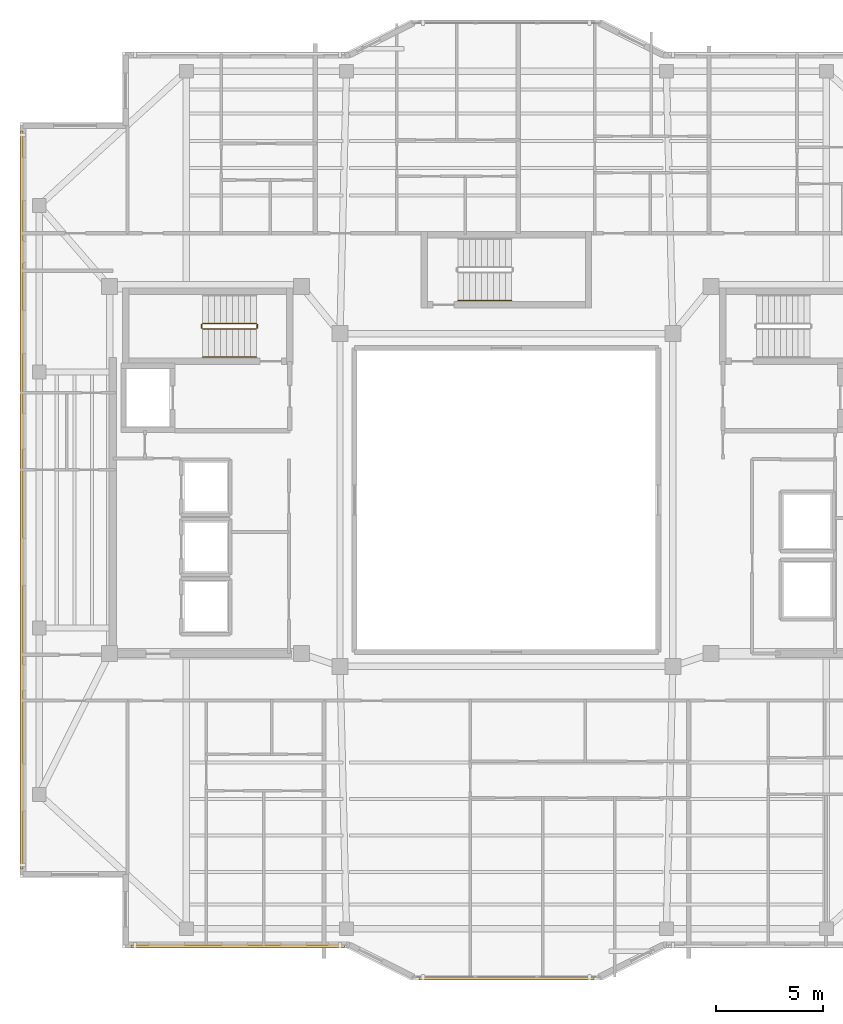
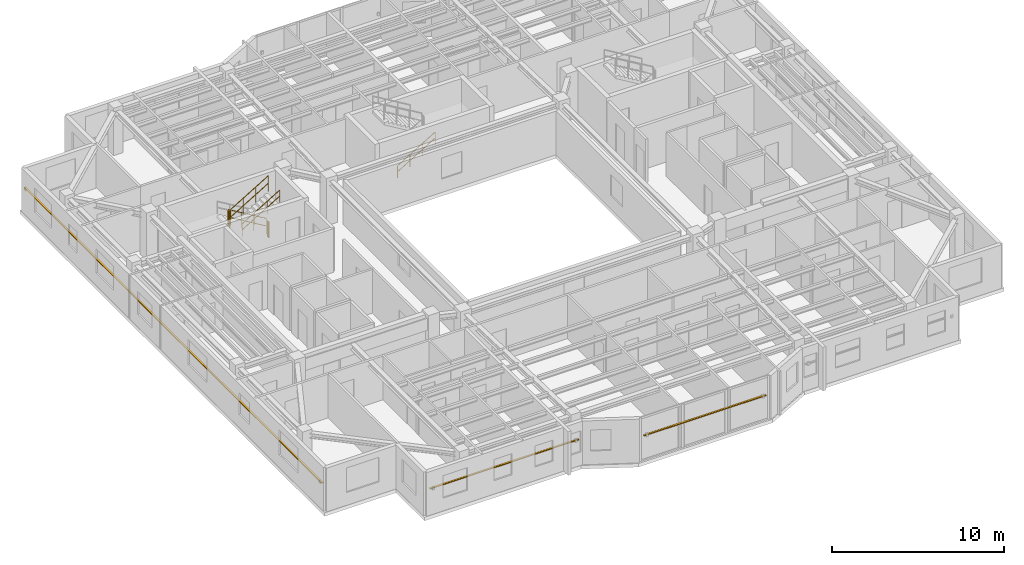
# One storey, part 13 of 15: 6 railings, 3 shading devices.
"""IFC4 building model written with IfcOpenShell, lengths in metres."""

from ifc_helpers import new_model, si_unit, direction, frame, origin, origin_2d, place, context, subcontext, project, spatial, rectangle, circle, extrude, material, material_profile, profile_set, type_object, element, save


model = new_model("IFC4")

# Units and contexts
model_context = context("Model", 3, precision=1e-05, world=origin(), true_north=direction((0.0, 1.0)))
body_context = subcontext(model_context, "Body", "Model", "MODEL_VIEW")
ifc_project = project(units=[si_unit("LENGTHUNIT", "METRE"), si_unit("AREAUNIT", "SQUARE_METRE"), si_unit("VOLUMEUNIT", "CUBIC_METRE"), si_unit("PLANEANGLEUNIT", "RADIAN"), si_unit("MASSUNIT", "GRAM", prefix="KILO")], contexts=[model_context])

# Site, building, storey
site_placement = place(None, origin())
site = spatial("IfcSite", under=ifc_project, at=site_placement, CompositionType="ELEMENT")
building_placement = place(site_placement, origin())
building = spatial("IfcBuilding", under=site, at=building_placement, Name="Tarnavaz Court Tower", CompositionType="ELEMENT")
storey_placement = place(building_placement, frame((0.0, 0.0, 241.5)))
storey = spatial("IfcBuildingStorey", under=building, at=storey_placement, Name="L65", CompositionType="ELEMENT", Elevation=241.5)

# Railings
ifc_material_1 = material(Name="Brushed Stainless Steel", Category="steel")
railing_type_1 = type_object("IfcRailingType", Name="RL-HANDRAIL-900", PredefinedType="HANDRAIL", material=ifc_material_1)
for number, where, name in (
    (1, (-14.239990234375, 6.699951171875, 1.842529296875), "L65 ST-W1 stair handrail 2"),
    (2, (-2.280029296875, 9.35009765625, 0.16748046875), "L65 ST-N1 stair handrail 1"),
):
    element("IfcRailing", number, at=place(storey_placement, frame(where)), inside=storey, type_object=railing_type_1, Name=name, PredefinedType="HANDRAIL", context=body_context, shape_type="SweptSolid", body=[
        extrude(circle(Radius=0.02392578125, at=origin_2d()), frame((0.0, 0.0, 0.8759765625), z_axis=(0.858159760407, 0.0, 0.513382728203), x_axis=(0.0, 1.0, 0.0)), (0.0, 0.0, 1.0), 2.9365234375),
        extrude(circle(Radius=0.02392578125, at=origin_2d()), frame((0.0, 0.0, 0.449951171875), z_axis=(0.858159760407, 0.0, 0.513382728203), x_axis=(0.0, 1.0, 0.0)), (0.0, 0.0, 1.0), 2.9365234375),
        extrude(circle(Radius=0.02099609375, at=origin_2d()), origin(), (0.0, 0.0, 1.0), 0.851806640625),
        extrude(circle(Radius=0.02099609375, at=origin_2d()), frame((0.840087890625, 0.0, 0.50244140625)), (0.0, 0.0, 1.0), 0.851806640625),
        extrude(circle(Radius=0.02099609375, at=origin_2d()), frame((1.679931640625, 0.0, 1.005126953125)), (0.0, 0.0, 1.0), 0.851806640625),
        extrude(circle(Radius=0.02099609375, at=origin_2d()), frame((2.52001953125, 0.0, 1.507568359375)), (0.0, 0.0, 1.0), 0.851806640625),
    ])
ifc_material_2 = material(Name="Galvanized Painted Tubular Steel", Category="steel")
railing_type_2 = type_object("IfcRailingType", Name="RL-STGUARD-1120", PredefinedType="GUARDRAIL", material=ifc_material_2)
railing_1_placement = place(storey_placement, frame((-11.719970703125, 8.27001953125, 0.16748046875)))
element("IfcRailing", 3, at=railing_1_placement, inside=storey, type_object=railing_type_2, Name="L65 ST-W1 stair guard 1", PredefinedType="GUARDRAIL", context=body_context, shape_type="SweptSolid", body=[
    extrude(circle(Radius=0.02392578125, at=origin_2d()), frame((0.0, 0.0, 1.09619140625), z_axis=(-0.858159760407, 0.0, 0.513382728203), x_axis=(0.0, -1.0, 0.0)), (0.0, 0.0, 1.0), 2.9365234375),
    extrude(circle(Radius=0.02392578125, at=origin_2d()), frame((0.0, 0.0, 0.56005859375), z_axis=(-0.858159760407, 0.0, 0.513382728203), x_axis=(0.0, -1.0, 0.0)), (0.0, 0.0, 1.0), 2.9365234375),
    extrude(circle(Radius=0.02099609375, at=origin_2d()), origin(), (0.0, 0.0, 1.0), 1.072021484375),
    extrude(circle(Radius=0.02099609375, at=origin_2d()), frame((-0.840087890625, 0.0, 0.50244140625)), (0.0, 0.0, 1.0), 1.072021484375),
    extrude(circle(Radius=0.02099609375, at=origin_2d()), frame((-1.679931640625, 0.0, 1.005126953125)), (0.0, 0.0, 1.0), 1.072021484375),
    extrude(circle(Radius=0.02099609375, at=origin_2d()), frame((-2.52001953125, 0.0, 1.507568359375)), (0.0, 0.0, 1.0), 1.072021484375),
])
railing_2_placement = place(storey_placement, frame((-14.2900390625, 8.219970703125, 1.675048828125)))
element("IfcRailing", 4, at=railing_2_placement, inside=storey, type_object=railing_type_2, Name="L65 ST-W1 stair guard 2", PredefinedType="GUARDRAIL", context=body_context, shape_type="SweptSolid", body=[
    extrude(circle(Radius=0.02392578125, at=origin_2d()), frame((0.0, 0.0, 1.09619140625), z_axis=(0.0, -1.0, 0.0), x_axis=(1.0, 0.0, 0.0)), (0.0, 0.0, 1.0), 0.14990234375),
    extrude(circle(Radius=0.02392578125, at=origin_2d()), frame((0.0, 0.0, 0.56005859375), z_axis=(0.0, -1.0, 0.0), x_axis=(1.0, 0.0, 0.0)), (0.0, 0.0, 1.0), 0.14990234375),
    extrude(circle(Radius=0.02099609375, at=origin_2d()), origin(), (0.0, 0.0, 1.0), 1.072021484375),
    extrude(circle(Radius=0.02099609375, at=origin_2d()), frame((0.0, -0.14990234375, 0.0)), (0.0, 0.0, 1.0), 1.072021484375),
])
railing_3_placement = place(storey_placement, frame((-14.239990234375, 8.02001953125, 1.842529296875)))
element("IfcRailing", 5, at=railing_3_placement, inside=storey, type_object=railing_type_2, Name="L65 ST-W1 stair guard 3", PredefinedType="GUARDRAIL", context=body_context, shape_type="SweptSolid", body=[
    extrude(circle(Radius=0.02392578125, at=origin_2d()), frame((0.0, 0.0, 1.09619140625), z_axis=(0.858159760407, 0.0, 0.513382728203), x_axis=(0.0, 1.0, 0.0)), (0.0, 0.0, 1.0), 2.9365234375),
    extrude(circle(Radius=0.02392578125, at=origin_2d()), frame((0.0, 0.0, 0.56005859375), z_axis=(0.858159760407, 0.0, 0.513382728203), x_axis=(0.0, 1.0, 0.0)), (0.0, 0.0, 1.0), 2.9365234375),
    extrude(circle(Radius=0.02099609375, at=origin_2d()), origin(), (0.0, 0.0, 1.0), 1.072021484375),
    extrude(circle(Radius=0.02099609375, at=origin_2d()), frame((0.840087890625, 0.0, 0.50244140625)), (0.0, 0.0, 1.0), 1.072021484375),
    extrude(circle(Radius=0.02099609375, at=origin_2d()), frame((1.679931640625, 0.0, 1.005126953125)), (0.0, 0.0, 1.0), 1.072021484375),
    extrude(circle(Radius=0.02099609375, at=origin_2d()), frame((2.52001953125, 0.0, 1.507568359375)), (0.0, 0.0, 1.0), 1.072021484375),
])
railing_4_placement = place(storey_placement, frame((-11.669921875, 8.219970703125, 0.0)))
element("IfcRailing", 6, at=railing_4_placement, inside=storey, type_object=railing_type_2, Name="L65 ST-W1 stair guard 4", PredefinedType="GUARDRAIL", context=body_context, shape_type="SweptSolid", body=[
    extrude(circle(Radius=0.02392578125, at=origin_2d()), frame((0.0, 0.0, 1.09619140625), z_axis=(0.0, -1.0, 0.0), x_axis=(1.0, 0.0, 0.0)), (0.0, 0.0, 1.0), 0.14990234375),
    extrude(circle(Radius=0.02392578125, at=origin_2d()), frame((0.0, 0.0, 0.56005859375), z_axis=(0.0, -1.0, 0.0), x_axis=(1.0, 0.0, 0.0)), (0.0, 0.0, 1.0), 0.14990234375),
    extrude(circle(Radius=0.02099609375, at=origin_2d()), origin(), (0.0, 0.0, 1.0), 1.072021484375),
    extrude(circle(Radius=0.02099609375, at=origin_2d()), frame((0.0, -0.14990234375, 0.0)), (0.0, 0.0, 1.0), 1.072021484375),
])

# Shading devices
ifc_material_3 = material(Name="Kiln-Fired Khorasan Terracotta Ceramic", Category="masonry")
ifc_material_profile = material_profile(ifc_material_3, rectangle(XDim=0.1201171875, YDim=0.06005859375, at=origin_2d()), Name="TC BAGUETTE 120X60")
ifc_profile_set = profile_set([ifc_material_profile], Name="Kiln-Fired Khorasan Terracotta Ceramic")
shading_device_type = type_object("IfcShadingDeviceType", Name="SD-BAG-120", PredefinedType="USERDEFINED", material=ifc_profile_set)
shading_device_1_placement = place(storey_placement, frame((-22.7099609375, -17.300048828125, 1.85009765625), z_axis=(0.0, 1.0, 0.0), x_axis=(-1.0, 0.0, 0.0)))
element("IfcShadingDevice", 7, at=shading_device_1_placement, inside=storey, type_object=shading_device_type, Name="L65 Terracotta Baguette Screen FBG02", ObjectType="BAGUETTE", PredefinedType="USERDEFINED", context=body_context, shape_type="SweptSolid", body=[
    extrude(rectangle(XDim=0.1201171875, YDim=0.06005859375, at=origin_2d()), origin(), (0.0, 0.0, 1.0), 34.60009765625),
])
shading_device_2_placement = place(storey_placement, frame((4.10009765625, -22.409912109375, 1.800048828125), z_axis=(-1.0, 0.0, 0.0), x_axis=(0.0, -1.0, 0.0)))
element("IfcShadingDevice", 8, at=shading_device_2_placement, inside=storey, type_object=shading_device_type, Name="L65 Terracotta Baguette Screen PBG17", ObjectType="BAGUETTE", PredefinedType="USERDEFINED", context=body_context, shape_type="SweptSolid", body=[
    extrude(rectangle(XDim=0.1201171875, YDim=0.06005859375, at=origin_2d()), origin(), (0.0, 0.0, 1.0), 8.2001953125),
])
shading_device_3_placement = place(storey_placement, frame((-7.60009765625, -20.909912109375, 1.85009765625), z_axis=(-1.0, 0.0, 0.0), x_axis=(0.0, -1.0, 0.0)))
element("IfcShadingDevice", 9, at=shading_device_3_placement, inside=storey, type_object=shading_device_type, Name="L65 Terracotta Baguette Screen FBG19", ObjectType="BAGUETTE", PredefinedType="USERDEFINED", context=body_context, shape_type="SweptSolid", body=[
    extrude(rectangle(XDim=0.1201171875, YDim=0.06005859375, at=origin_2d()), origin(), (0.0, 0.0, 1.0), 10.0),
])

save(model, "model.ifc")
